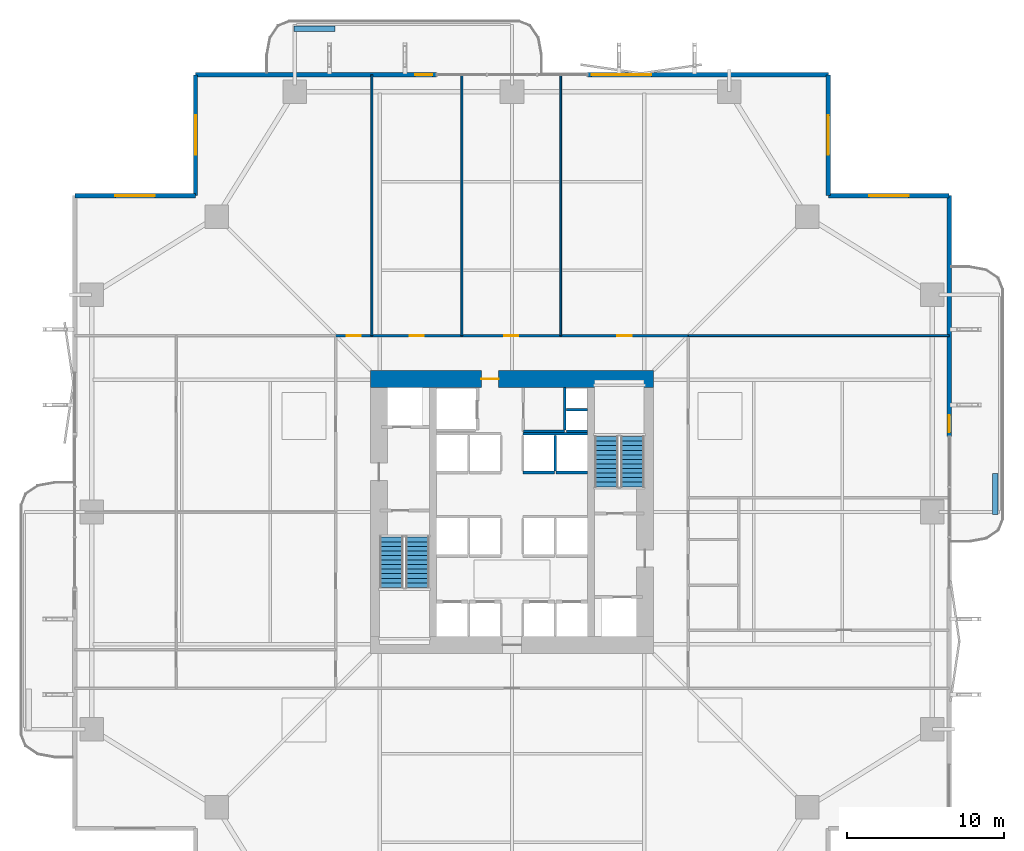
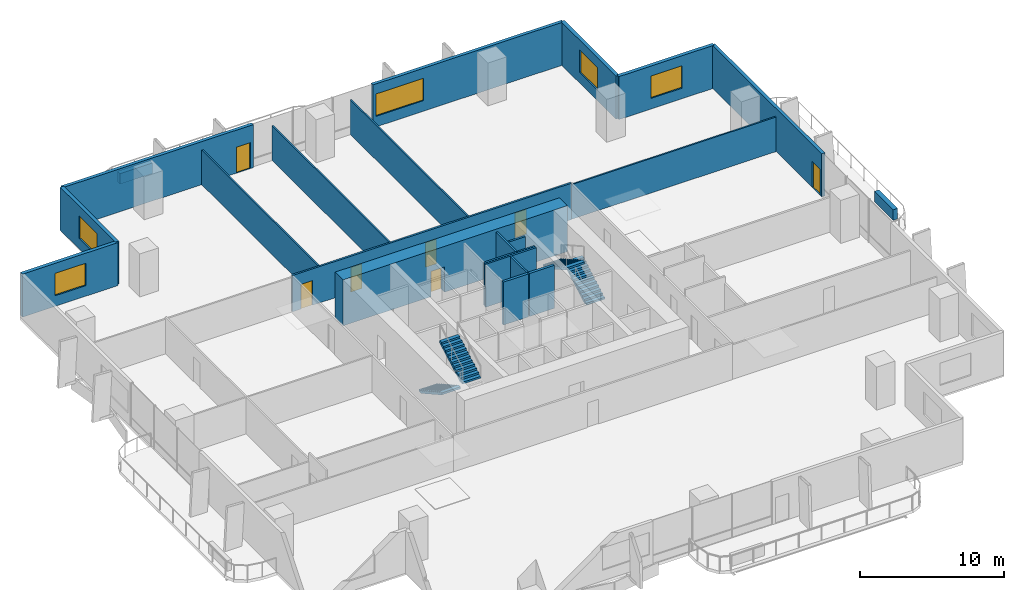
# One storey, part 19 of 24: 23 walls, 7 doors, 5 windows, 4 stair flights, 12 openings, 2 elements without a shape of their own.
"""IFC4 building model written with IfcOpenShell, lengths in metres."""

from ifc_helpers import new_model, si_unit, direction, frame, frame_2d, origin, place, context, subcontext, project, spatial, polyline, rectangle, outline, extrude, material, layer, layer_set, type_object, element, fill, aggregate, save


model = new_model("IFC4")

# Units and contexts
model_context = context("Model", 3, precision=1e-05, world=origin(), true_north=direction((0.0, 1.0)))
body_context = subcontext(model_context, "Body", "Model", "MODEL_VIEW")
ifc_project = project(units=[si_unit("LENGTHUNIT", "METRE"), si_unit("AREAUNIT", "SQUARE_METRE"), si_unit("VOLUMEUNIT", "CUBIC_METRE"), si_unit("PLANEANGLEUNIT", "RADIAN"), si_unit("MASSUNIT", "GRAM", prefix="KILO")], contexts=[model_context])

# Site, building, storey
site_placement = place(None, origin())
site = spatial("IfcSite", under=ifc_project, at=site_placement, CompositionType="ELEMENT")
building_placement = place(site_placement, origin())
building = spatial("IfcBuilding", under=site, at=building_placement, Name="Belovzor Exchange Tower", CompositionType="ELEMENT")
storey_placement = place(building_placement, frame((0.0, 0.0, 72.89990234375)))
storey = spatial("IfcBuildingStorey", under=building, at=storey_placement, Name="L17", CompositionType="ELEMENT", Elevation=72.89990234375)

# Walls
ifc_material_1 = material(Name="Acoustic Plasterboard on Galvanised Studs", Category="gypsum")
ifc_layer_1 = layer(ifc_material_1, 0.1201171875)
ifc_layer_set_1 = layer_set([ifc_layer_1], Name="Acoustic Plasterboard on Galvanised Studs")
wall_type_1 = type_object("IfcWallType", Name="Acoustic Double-Stud Partition Wall 120", PredefinedType="PARTITIONING", material=ifc_layer_set_1)
for number, where, z_axis, x_axis, name in (
    (1, (19.89990234375, 40.0, 0.0), (0.0, 0.0, 1.0), (0.0, 1.0, 0.0), "W-P120 Partition Wall W-L17-NDIV-1"),
    (2, (25.612060546875, 40.0, 0.0), (0.0, 0.0, 1.0), (0.0, 1.0, 0.0), "W-P120 Partition Wall W-L17-NDIV-2"),
    (3, (31.89697265625, 40.0, 0.0), (0.0, 0.0, 1.0), (0.0, 1.0, 0.0), "W-P120 Partition Wall W-L17-NDIV-3"),
    (4, (40.0, 40.0, 0.0), (0.0, 0.0, 1.0), (1.0, 0.0, 0.0), "W-P120 Partition Wall W-L17-END-NE"),
):
    element("IfcWall", number, at=place(storey_placement, frame(where, z_axis=z_axis, x_axis=x_axis)), inside=storey, type_object=wall_type_1, Name=name, PredefinedType="PARTITIONING", context=body_context, shape_type="SweptSolid", body=[
        extrude(rectangle(XDim=16.570068359375, YDim=0.1201171875, at=frame_2d((8.28515625, 0.0))), origin(), (0.0, 0.0, 1.0), 2.93505859375),
    ])
ifc_material_2 = material(Name="Fire-Rated Gypsum Block and Mineral Wool", Category="gypsum")
ifc_layer_2 = layer(ifc_material_2, 0.14990234375)
ifc_layer_set_2 = layer_set([ifc_layer_2], Name="Fire-Rated Gypsum Block and Mineral Wool")
wall_type_2 = type_object("IfcWallType", Name="Fire-Rated Gypsum Block Corridor Wall 150", PredefinedType="PARTITIONING", material=ifc_layer_set_2)
wall_1_placement = place(storey_placement, frame((29.52490234375, 33.925048828125, 0.0), z_axis=(0.0, 0.0, 1.0), x_axis=(1.0, 0.0, 0.0)))
element("IfcWall", 5, at=wall_1_placement, inside=storey, type_object=wall_type_2, Name="W-P150 Partition Wall W-CRV-L17-S", PredefinedType="PARTITIONING", context=body_context, shape_type="SweptSolid", body=[
    extrude(rectangle(XDim=2.625, YDim=0.14990234375, at=frame_2d((1.3125, 0.0))), origin(), (0.0, 0.0, 1.0), 3.650146484375),
])

# Wall, openings, doors
wall_2_placement = place(storey_placement, frame((17.60009765625, 40.0, 0.0), z_axis=(0.0, 0.0, 1.0), x_axis=(1.0, 0.0, 0.0)))
wall_2 = element("IfcWall", 6, at=wall_2_placement, inside=storey, type_object=wall_type_2, Name="W-P150 Partition Wall W-L17-CN", PredefinedType="PARTITIONING", context=body_context, shape_type="SweptSolid", body=[
    extrude(rectangle(XDim=22.39990234375, YDim=0.14990234375, at=frame_2d((11.199951171875, 0.0))), origin(), (0.0, 0.0, 1.0), 3.085205078125),
])
opening_1_placement = place(wall_2_placement, frame((0.699951171875, 0.0, 0.0)))
opening_1 = element("IfcOpeningElement", 7, at=opening_1_placement, cuts=wall_2, Name="Opening D-INT-090", PredefinedType="OPENING", context=body_context, shape_type="SweptSolid", body=[
    extrude(rectangle(XDim=0.89990234375, YDim=2.10009765625, at=frame_2d((0.449951171875, 1.050048828125))), frame((0.0, 0.0849609375, 0.0), z_axis=(0.0, -1.0, 0.0), x_axis=(1.0, 0.0, 0.0)), (0.0, 0.0, 1.0), 0.169921875),
])
opening_2_placement = place(wall_2_placement, frame((4.7060546875, 0.0, 0.0)))
opening_2 = element("IfcOpeningElement", 8, at=opening_2_placement, cuts=wall_2, Name="Opening D-INT-090", PredefinedType="OPENING", context=body_context, shape_type="SweptSolid", body=[
    extrude(rectangle(XDim=0.89990234375, YDim=2.10009765625, at=frame_2d((0.449951171875, 1.050048828125))), frame((0.0, 0.0849609375, 0.0), z_axis=(0.0, -1.0, 0.0), x_axis=(1.0, 0.0, 0.0)), (0.0, 0.0, 1.0), 0.169921875),
])
opening_3_placement = place(wall_2_placement, frame((10.7041015625, 0.0, 0.0)))
opening_3 = element("IfcOpeningElement", 9, at=opening_3_placement, cuts=wall_2, Name="Opening D-INT-090", PredefinedType="OPENING", context=body_context, shape_type="SweptSolid", body=[
    extrude(rectangle(XDim=0.89990234375, YDim=2.10009765625, at=frame_2d((0.449951171875, 1.050048828125))), frame((0.0, 0.0849609375, 0.0), z_axis=(0.0, -1.0, 0.0), x_axis=(1.0, 0.0, 0.0)), (0.0, 0.0, 1.0), 0.169921875),
])
opening_4_placement = place(wall_2_placement, frame((17.89794921875, 0.0, 0.0)))
opening_4 = element("IfcOpeningElement", 10, at=opening_4_placement, cuts=wall_2, Name="Opening D-INT-090", PredefinedType="OPENING", context=body_context, shape_type="SweptSolid", body=[
    extrude(rectangle(XDim=0.89990234375, YDim=2.10009765625, at=frame_2d((0.449951171875, 1.050048828125))), frame((0.0, 0.0849609375, 0.0), z_axis=(0.0, -1.0, 0.0), x_axis=(1.0, 0.0, 0.0)), (0.0, 0.0, 1.0), 0.169921875),
])
ifc_material_3 = material(Name="Veneered Hardwood Acoustic Leaf", Category="wood")
door_type_1 = type_object("IfcDoorType", Name="Trading Suite Acoustic Single Door 900x2100", OperationType="NOTDEFINED", PredefinedType="DOOR", material=ifc_material_3)
door_1_placement = place(opening_1_placement, origin())
door_1 = element("IfcDoor", 11, at=door_1_placement, inside=storey, type_object=door_type_1, Name="D-INT-090 Trading Suite Acoustic Single Door 900x2100", OperationType="SINGLE_SWING_RIGHT", OverallHeight=2.10009765625, OverallWidth=0.89990234375, PredefinedType="DOOR", context=body_context, shape_type="SweptSolid", body=[
    extrude(rectangle(XDim=0.89990234375, YDim=2.10009765625, at=frame_2d((0.449951171875, 1.050048828125))), frame((0.0, 0.02490234375, 0.0), z_axis=(0.0, -1.0, 0.0), x_axis=(1.0, 0.0, 0.0)), (0.0, 0.0, 1.0), 0.050048828125),
])
fill(opening_1, door_1)
door_2_placement = place(opening_2_placement, origin())
door_2 = element("IfcDoor", 12, at=door_2_placement, inside=storey, type_object=door_type_1, Name="D-INT-090 Trading Suite Acoustic Single Door 900x2100", OperationType="SINGLE_SWING_LEFT", OverallHeight=2.10009765625, OverallWidth=0.89990234375, PredefinedType="DOOR", context=body_context, shape_type="SweptSolid", body=[
    extrude(rectangle(XDim=0.89990234375, YDim=2.10009765625, at=frame_2d((0.449951171875, 1.050048828125))), frame((0.0, 0.02490234375, 0.0), z_axis=(0.0, -1.0, 0.0), x_axis=(1.0, 0.0, 0.0)), (0.0, 0.0, 1.0), 0.050048828125),
])
fill(opening_2, door_2)
door_3_placement = place(opening_3_placement, origin())
door_3 = element("IfcDoor", 13, at=door_3_placement, inside=storey, type_object=door_type_1, Name="D-INT-090 Trading Suite Acoustic Single Door 900x2100", OperationType="SINGLE_SWING_RIGHT", OverallHeight=2.10009765625, OverallWidth=0.89990234375, PredefinedType="DOOR", context=body_context, shape_type="SweptSolid", body=[
    extrude(rectangle(XDim=0.89990234375, YDim=2.10009765625, at=frame_2d((0.449951171875, 1.050048828125))), frame((0.0, 0.02490234375, 0.0), z_axis=(0.0, -1.0, 0.0), x_axis=(1.0, 0.0, 0.0)), (0.0, 0.0, 1.0), 0.050048828125),
])
fill(opening_3, door_3)
door_4_placement = place(opening_4_placement, origin())
door_4 = element("IfcDoor", 14, at=door_4_placement, inside=storey, type_object=door_type_1, Name="D-INT-090 Trading Suite Acoustic Single Door 900x2100", OperationType="SINGLE_SWING_LEFT", OverallHeight=2.10009765625, OverallWidth=0.89990234375, PredefinedType="DOOR", context=body_context, shape_type="SweptSolid", body=[
    extrude(rectangle(XDim=0.89990234375, YDim=2.10009765625, at=frame_2d((0.449951171875, 1.050048828125))), frame((0.0, 0.02490234375, 0.0), z_axis=(0.0, -1.0, 0.0), x_axis=(1.0, 0.0, 0.0)), (0.0, 0.0, 1.0), 0.050048828125),
])
fill(opening_4, door_4)

# Wall, opening, window
ifc_material_4 = material(Name="Precast concrete C40/50", Category="concrete")
ifc_layer_3 = layer(ifc_material_4, 0.280029296875)
ifc_layer_set_3 = layer_set([ifc_layer_3], Name="Precast concrete C40/50")
wall_type_3 = type_object("IfcWallType", Name="Precast Concrete Notched Corner Frame Wall 280", PredefinedType="SOLIDWALL", material=ifc_layer_set_3)
wall_3_placement = place(storey_placement, frame((1.030029296875, 48.89990234375, 0.0), z_axis=(0.0, 0.0, 1.0), x_axis=(1.0, 0.0, 0.0)))
wall_3 = element("IfcWall", 15, at=wall_3_placement, inside=storey, type_object=wall_type_3, Name="W-CRN280 Precast Concrete Notched Corner Frame Wall 280 L17", PredefinedType="SOLIDWALL", context=body_context, shape_type="SweptSolid", body=[
    extrude(rectangle(XDim=7.669921875, YDim=0.280029296875, at=frame_2d((3.8349609375, 0.0))), origin(), (0.0, 0.0, 1.0), 3.650146484375),
])
opening_5_placement = place(wall_3_placement, frame((2.5849609375, 0.0, 0.89990234375)))
opening_5 = element("IfcOpeningElement", 16, at=opening_5_placement, cuts=wall_3, Name="Opening WN-CRN250", PredefinedType="OPENING", context=body_context, shape_type="SweptSolid", body=[
    extrude(rectangle(XDim=2.5, YDim=1.89990234375, at=frame_2d((1.25, 0.949951171875))), frame((0.0, 0.14990234375, 0.0), z_axis=(0.0, -1.0, 0.0), x_axis=(1.0, 0.0, 0.0)), (0.0, 0.0, 1.0), 0.300048828125),
])
ifc_material_5 = material(Name="Thermally Broken Aluminium and Triple Glazing", Category="aluminium")
window_type_1 = type_object("IfcWindowType", Name="Streamline Moderne Corner Wrap Ribbon Window 2500x1900", PartitioningType="SINGLE_PANEL", PredefinedType="WINDOW", material=ifc_material_5)
window_1_placement = place(opening_5_placement, origin())
window_1 = element("IfcWindow", 17, at=window_1_placement, inside=storey, type_object=window_type_1, Name="WN-CRN250 Streamline Moderne Corner Wrap Ribbon Window 2500x1900", OverallHeight=1.89990234375, OverallWidth=2.5, PartitioningType="SINGLE_PANEL", PredefinedType="WINDOW", context=body_context, shape_type="SweptSolid", body=[
    extrude(rectangle(XDim=2.5, YDim=1.89990234375, at=frame_2d((1.25, 0.949951171875))), frame((0.0, 0.030029296875, 0.0), z_axis=(0.0, -1.0, 0.0), x_axis=(1.0, 0.0, 0.0)), (0.0, 0.0, 1.0), 0.06005859375),
])
fill(opening_5, window_1)

wall_4_placement = place(storey_placement, frame((8.699951171875, 48.89990234375, 0.0), z_axis=(0.0, 0.0, 1.0), x_axis=(0.0, 1.0, 0.0)))
wall_4 = element("IfcWall", 18, at=wall_4_placement, inside=storey, type_object=wall_type_3, Name="W-CRN280 Precast Concrete Notched Corner Frame Wall 280 L17", PredefinedType="SOLIDWALL", context=body_context, shape_type="SweptSolid", body=[
    extrude(rectangle(XDim=7.670166015625, YDim=0.280029296875, at=frame_2d((3.8349609375, 0.0))), origin(), (0.0, 0.0, 1.0), 3.650146484375),
])
opening_6_placement = place(wall_4_placement, frame((2.5849609375, 0.0, 0.89990234375)))
opening_6 = element("IfcOpeningElement", 19, at=opening_6_placement, cuts=wall_4, Name="Opening WN-CRN250", PredefinedType="OPENING", context=body_context, shape_type="SweptSolid", body=[
    extrude(rectangle(XDim=2.5, YDim=1.89990234375, at=frame_2d((1.25, 0.949951171875))), frame((0.0, 0.14990234375, 0.0), z_axis=(0.0, -1.0, 0.0), x_axis=(1.0, 0.0, 0.0)), (0.0, 0.0, 1.0), 0.300048828125),
])
window_2_placement = place(opening_6_placement, origin())
window_2 = element("IfcWindow", 20, at=window_2_placement, inside=storey, type_object=window_type_1, Name="WN-CRN250 Streamline Moderne Corner Wrap Ribbon Window 2500x1900", OverallHeight=1.89990234375, OverallWidth=2.5, PartitioningType="SINGLE_PANEL", PredefinedType="WINDOW", context=body_context, shape_type="SweptSolid", body=[
    extrude(rectangle(XDim=2.5, YDim=1.89990234375, at=frame_2d((1.25, 0.949951171875))), frame((0.0, 0.030029296875, 0.0), z_axis=(0.0, -1.0, 0.0), x_axis=(1.0, 0.0, 0.0)), (0.0, 0.0, 1.0), 0.06005859375),
])
fill(opening_6, window_2)

wall_5_placement = place(storey_placement, frame((48.89990234375, 56.570068359375, 0.0), z_axis=(0.0, 0.0, 1.0), x_axis=(0.0, -1.0, 0.0)))
wall_5 = element("IfcWall", 21, at=wall_5_placement, inside=storey, type_object=wall_type_3, Name="W-CRN280 Precast Concrete Notched Corner Frame Wall 280 L17", PredefinedType="SOLIDWALL", context=body_context, shape_type="SweptSolid", body=[
    extrude(rectangle(XDim=7.670166015625, YDim=0.280029296875, at=frame_2d((3.8349609375, 0.0))), origin(), (0.0, 0.0, 1.0), 3.650146484375),
])
opening_7_placement = place(wall_5_placement, frame((2.5849609375, 0.0, 0.89990234375)))
opening_7 = element("IfcOpeningElement", 22, at=opening_7_placement, cuts=wall_5, Name="Opening WN-CRN250", PredefinedType="OPENING", context=body_context, shape_type="SweptSolid", body=[
    extrude(rectangle(XDim=2.5, YDim=1.89990234375, at=frame_2d((1.25, 0.949951171875))), frame((0.0, 0.14990234375, 0.0), z_axis=(0.0, -1.0, 0.0), x_axis=(1.0, 0.0, 0.0)), (0.0, 0.0, 1.0), 0.300048828125),
])
window_3_placement = place(opening_7_placement, origin())
window_3 = element("IfcWindow", 23, at=window_3_placement, inside=storey, type_object=window_type_1, Name="WN-CRN250 Streamline Moderne Corner Wrap Ribbon Window 2500x1900", OverallHeight=1.89990234375, OverallWidth=2.5, PartitioningType="SINGLE_PANEL", PredefinedType="WINDOW", context=body_context, shape_type="SweptSolid", body=[
    extrude(rectangle(XDim=2.5, YDim=1.89990234375, at=frame_2d((1.25, 0.949951171875))), frame((0.0, 0.030029296875, 0.0), z_axis=(0.0, -1.0, 0.0), x_axis=(1.0, 0.0, 0.0)), (0.0, 0.0, 1.0), 0.06005859375),
])
fill(opening_7, window_3)

wall_6_placement = place(storey_placement, frame((48.89990234375, 48.89990234375, 0.0), z_axis=(0.0, 0.0, 1.0), x_axis=(1.0, 0.0, 0.0)))
wall_6 = element("IfcWall", 24, at=wall_6_placement, inside=storey, type_object=wall_type_3, Name="W-CRN280 Precast Concrete Notched Corner Frame Wall 280 L17", PredefinedType="SOLIDWALL", context=body_context, shape_type="SweptSolid", body=[
    extrude(rectangle(XDim=7.670166015625, YDim=0.280029296875, at=frame_2d((3.8349609375, 0.0))), origin(), (0.0, 0.0, 1.0), 3.650146484375),
])
opening_8_placement = place(wall_6_placement, frame((2.5849609375, 0.0, 0.89990234375)))
opening_8 = element("IfcOpeningElement", 25, at=opening_8_placement, cuts=wall_6, Name="Opening WN-CRN250", PredefinedType="OPENING", context=body_context, shape_type="SweptSolid", body=[
    extrude(rectangle(XDim=2.5, YDim=1.89990234375, at=frame_2d((1.25, 0.949951171875))), frame((0.0, 0.14990234375, 0.0), z_axis=(0.0, -1.0, 0.0), x_axis=(1.0, 0.0, 0.0)), (0.0, 0.0, 1.0), 0.300048828125),
])
window_4_placement = place(opening_8_placement, origin())
window_4 = element("IfcWindow", 26, at=window_4_placement, inside=storey, type_object=window_type_1, Name="WN-CRN250 Streamline Moderne Corner Wrap Ribbon Window 2500x1900", OverallHeight=1.89990234375, OverallWidth=2.5, PartitioningType="SINGLE_PANEL", PredefinedType="WINDOW", context=body_context, shape_type="SweptSolid", body=[
    extrude(rectangle(XDim=2.5, YDim=1.89990234375, at=frame_2d((1.25, 0.949951171875))), frame((0.0, 0.030029296875, 0.0), z_axis=(0.0, -1.0, 0.0), x_axis=(1.0, 0.0, 0.0)), (0.0, 0.0, 1.0), 0.06005859375),
])
fill(opening_8, window_4)

# Wall, opening, door
ifc_material_6 = material(Name="Precast concrete C40/50", Category="concrete")
ifc_layer_4 = layer(ifc_material_6, 0.260009765625)
ifc_layer_set_4 = layer_set([ifc_layer_4], Name="Precast concrete C40/50")
wall_type_4 = type_object("IfcWallType", Name="Precast Concrete Perimeter Loggia Frame Wall 260", PredefinedType="SOLIDWALL", material=ifc_layer_set_4)
wall_7_placement = place(storey_placement, frame((8.699951171875, 56.570068359375, 0.0), z_axis=(0.0, 0.0, 1.0), x_axis=(1.0, 0.0, 0.0)))
wall_7 = element("IfcWall", 27, at=wall_7_placement, inside=storey, type_object=wall_type_4, Name="W-EXT260 Precast Concrete Perimeter Loggia Frame Wall 260 L17", PredefinedType="SOLIDWALL", context=body_context, shape_type="SweptSolid", body=[
    extrude(rectangle(XDim=15.300048828125, YDim=0.260009765625, at=frame_2d((7.64990234375, 0.0))), origin(), (0.0, 0.0, 1.0), 3.650146484375),
])
opening_9_placement = place(wall_7_placement, frame((13.949951171875, 0.0, 0.0)))
opening_9 = element("IfcOpeningElement", 28, at=opening_9_placement, cuts=wall_7, Name="Opening D-BAL110", PredefinedType="OPENING", context=body_context, shape_type="SweptSolid", body=[
    extrude(rectangle(XDim=1.10009765625, YDim=2.199951171875, at=frame_2d((0.550048828125, 1.10009765625))), frame((0.0, 0.139892578125, 0.0), z_axis=(0.0, -1.0, 0.0), x_axis=(1.0, 0.0, 0.0)), (0.0, 0.0, 1.0), 0.280029296875),
])
ifc_material_7 = material(Name="Thermally Broken Anodised Aluminium and Laminated Glass", Category="aluminium")
door_type_2 = type_object("IfcDoorType", Name="Planted Loggia Terrace Glazed Door 1100x2200", OperationType="SINGLE_SWING_LEFT", PredefinedType="DOOR", material=ifc_material_7)
door_5_placement = place(opening_9_placement, origin())
door_5 = element("IfcDoor", 29, at=door_5_placement, inside=storey, type_object=door_type_2, Name="D-BAL110 Balcony Terrace Door L17 N", OperationType="SINGLE_SWING_RIGHT", OverallHeight=2.199951171875, OverallWidth=1.10009765625, PredefinedType="DOOR", context=body_context, shape_type="SweptSolid", body=[
    extrude(rectangle(XDim=1.10009765625, YDim=2.199951171875, at=frame_2d((0.550048828125, 1.10009765625))), frame((0.0, 0.02490234375, 0.0), z_axis=(0.0, -1.0, 0.0), x_axis=(1.0, 0.0, 0.0)), (0.0, 0.0, 1.0), 0.050048828125),
])
fill(opening_9, door_5)

# Wall, opening, window
wall_8_placement = place(storey_placement, frame((33.60009765625, 56.570068359375, 0.0), z_axis=(0.0, 0.0, 1.0), x_axis=(1.0, 0.0, 0.0)))
wall_8 = element("IfcWall", 30, at=wall_8_placement, inside=storey, type_object=wall_type_4, Name="W-EXT260 Precast Concrete Perimeter Loggia Frame Wall 260 L17", PredefinedType="SOLIDWALL", context=body_context, shape_type="SweptSolid", body=[
    extrude(rectangle(XDim=15.2998046875, YDim=0.260009765625, at=frame_2d((7.64990234375, 0.0))), origin(), (0.0, 0.0, 1.0), 3.650146484375),
])
opening_10_placement = place(wall_8_placement, frame((0.25, 0.0, 0.89990234375)))
opening_10 = element("IfcOpeningElement", 31, at=opening_10_placement, cuts=wall_8, Name="Opening WN-RIB380", PredefinedType="OPENING", context=body_context, shape_type="SweptSolid", body=[
    extrude(rectangle(XDim=3.800048828125, YDim=1.89990234375, at=frame_2d((1.89990234375, 0.949951171875))), frame((0.0, 0.139892578125, 0.0), z_axis=(0.0, -1.0, 0.0), x_axis=(1.0, 0.0, 0.0)), (0.0, 0.0, 1.0), 0.280029296875),
])
ifc_material_8 = material(Name="Thermally Broken Aluminium and Triple Glazing", Category="aluminium")
window_type_2 = type_object("IfcWindowType", Name="Streamline Moderne Horizontal Ribbon Window 3800x1900", PartitioningType="SINGLE_PANEL", PredefinedType="WINDOW", material=ifc_material_8)
window_5_placement = place(opening_10_placement, origin())
window_5 = element("IfcWindow", 32, at=window_5_placement, inside=storey, type_object=window_type_2, Name="WN-RIB380 Streamline Moderne Horizontal Ribbon Window 3800x1900", OverallHeight=1.89990234375, OverallWidth=3.800048828125, PartitioningType="SINGLE_PANEL", PredefinedType="WINDOW", context=body_context, shape_type="SweptSolid", body=[
    extrude(rectangle(XDim=3.800048828125, YDim=1.89990234375, at=frame_2d((1.89990234375, 0.949951171875))), frame((0.0, 0.030029296875, 0.0), z_axis=(0.0, -1.0, 0.0), x_axis=(1.0, 0.0, 0.0)), (0.0, 0.0, 1.0), 0.06005859375),
])
fill(opening_10, window_5)

# Wall, opening, door
wall_9_placement = place(storey_placement, frame((56.570068359375, 48.89990234375, 0.0), z_axis=(0.0, 0.0, 1.0), x_axis=(0.0, -1.0, 0.0)))
wall_9 = element("IfcWall", 33, at=wall_9_placement, inside=storey, type_object=wall_type_4, Name="W-EXT260 Precast Concrete Perimeter Loggia Frame Wall 260 L17", PredefinedType="SOLIDWALL", context=body_context, shape_type="SweptSolid", body=[
    extrude(rectangle(XDim=15.2998046875, YDim=0.260009765625, at=frame_2d((7.64990234375, 0.0))), origin(), (0.0, 0.0, 1.0), 3.650146484375),
])
opening_11_placement = place(wall_9_placement, frame((13.949951171875, 0.0, 0.0)))
opening_11 = element("IfcOpeningElement", 34, at=opening_11_placement, cuts=wall_9, Name="Opening D-BAL110", PredefinedType="OPENING", context=body_context, shape_type="SweptSolid", body=[
    extrude(rectangle(XDim=1.10009765625, YDim=2.199951171875, at=frame_2d((0.550048828125, 1.10009765625))), frame((0.0, 0.139892578125, 0.0), z_axis=(0.0, -1.0, 0.0), x_axis=(1.0, 0.0, 0.0)), (0.0, 0.0, 1.0), 0.280029296875),
])
door_6_placement = place(opening_11_placement, origin())
door_6 = element("IfcDoor", 35, at=door_6_placement, inside=storey, type_object=door_type_2, Name="D-BAL110 Balcony Terrace Door L17 E", OperationType="SINGLE_SWING_LEFT", OverallHeight=2.199951171875, OverallWidth=1.10009765625, PredefinedType="DOOR", context=body_context, shape_type="SweptSolid", body=[
    extrude(rectangle(XDim=1.10009765625, YDim=2.199951171875, at=frame_2d((0.550048828125, 1.10009765625))), frame((0.0, 0.02490234375, 0.0), z_axis=(0.0, -1.0, 0.0), x_axis=(1.0, 0.0, 0.0)), (0.0, 0.0, 1.0), 0.050048828125),
])
fill(opening_11, door_6)

# Walls
ifc_material_9 = material(Name="Precast concrete C40/50", Category="concrete")
ifc_layer_5 = layer(ifc_material_9, 0.35009765625)
ifc_layer_set_5 = layer_set([ifc_layer_5], Name="Precast concrete C40/50")
wall_type_5 = type_object("IfcWallType", Name="Precast Concrete Structural Tree Planter Trough 350", PredefinedType="PARAPET", material=ifc_layer_set_5)
for number, where, z_axis, x_axis, name in (
    (36, (14.949951171875, 59.5, 0.0), (0.0, 0.0, 1.0), (1.0, 0.0, 0.0), "PT-350 Precast Concrete Structural Tree Planter Trough 350 L17"),
    (37, (59.5, 28.64990234375, 0.0), (0.0, 0.0, 1.0), (0.0, 1.0, 0.0), "PT-350 Precast Concrete Structural Tree Planter Trough 350 L17"),
):
    element("IfcWall", number, at=place(storey_placement, frame(where, z_axis=z_axis, x_axis=x_axis)), inside=storey, type_object=wall_type_5, Name=name, PredefinedType="PARAPET", context=body_context, shape_type="SweptSolid", body=[
        extrude(rectangle(XDim=2.60009765625, YDim=0.35009765625, at=frame_2d((1.300048828125, 0.0))), origin(), (0.0, 0.0, 1.0), 0.900146484375),
    ])
ifc_material_10 = material(Name="Concrete C50/60", Category="concrete")
ifc_layer_6 = layer(ifc_material_10, 0.14990234375)
ifc_layer_set_6 = layer_set([ifc_layer_6], Name="Concrete C50/60")
wall_type_6 = type_object("IfcWallType", Name="Reinforced Concrete Core Riser Shear Wall 150", PredefinedType="SHEAR", material=ifc_layer_set_6)
wall_10_placement = place(storey_placement, frame((32.14990234375, 34.0, 0.0), z_axis=(0.0, 0.0, 1.0), x_axis=(0.0, 1.0, 0.0)))
element("IfcWall", 38, at=wall_10_placement, inside=storey, type_object=wall_type_6, Name="W-C150S Core Shaft Wall W-RSR-L17-E", PredefinedType="SHEAR", context=body_context, shape_type="SweptSolid", body=[
    extrude(rectangle(XDim=2.699951171875, YDim=0.14990234375, at=frame_2d((1.35009765625, 0.0))), origin(), (0.0, 0.0, 1.0), 3.650146484375),
])
for number, where, z_axis, x_axis, name in (
    (39, (32.25, 33.925048828125, 0.0), (0.0, 0.0, 1.0), (1.0, 0.0, 0.0), "W-C150S Core Shaft Wall W-RSR-L17-S"),
    (40, (32.25, 35.300048828125, 0.0), (0.0, 0.0, 1.0), (1.0, 0.0, 0.0), "W-C150S Core Shaft Wall W-RSR-L17-M"),
):
    element("IfcWall", number, at=place(storey_placement, frame(where, z_axis=z_axis, x_axis=x_axis)), inside=storey, type_object=wall_type_6, Name=name, PredefinedType="SHEAR", context=body_context, shape_type="SweptSolid", body=[
        extrude(rectangle(XDim=1.330078125, YDim=0.14990234375, at=frame_2d((0.6650390625, 0.0))), origin(), (0.0, 0.0, 1.0), 3.650146484375),
    ])
wall_11_placement = place(storey_placement, frame((29.5, 33.760009765625, 0.0), z_axis=(0.0, 0.0, 1.0), x_axis=(1.0, 0.0, 0.0)))
element("IfcWall", 41, at=wall_11_placement, inside=storey, type_object=wall_type_6, Name="W-C150S Core Shaft Wall W-SHB-L17-PLH-NE", PredefinedType="SHEAR", context=body_context, shape_type="SweptSolid", body=[
    extrude(rectangle(XDim=4.080078125, YDim=0.14990234375, at=frame_2d((2.0400390625, 0.0))), origin(), (0.0, 0.0, 1.0), 3.650146484375),
])
wall_12_placement = place(storey_placement, frame((31.550048828125, 31.419921875, 0.0), z_axis=(0.0, 0.0, 1.0), x_axis=(0.0, 1.0, 0.0)))
element("IfcWall", 42, at=wall_12_placement, inside=storey, type_object=wall_type_6, Name="W-C150S Core Shaft Wall W-SHD-L17-PLH-4", PredefinedType="SHEAR", context=body_context, shape_type="SweptSolid", body=[
    extrude(rectangle(XDim=2.239990234375, YDim=0.14990234375, at=frame_2d((1.1201171875, 0.0))), origin(), (0.0, 0.0, 1.0), 3.650146484375),
])
ifc_material_11 = material(Name="Concrete C50/60", Category="concrete")
ifc_layer_7 = layer(ifc_material_11, 0.199951171875)
ifc_layer_set_7 = layer_set([ifc_layer_7], Name="Concrete C50/60")
wall_type_7 = type_object("IfcWallType", Name="Reinforced Concrete Core Shaft Shear Wall 200", PredefinedType="SHEAR", material=ifc_layer_set_7)
for number, where, z_axis, x_axis, name in (
    (43, (29.5, 31.300048828125, 0.0), (0.0, 0.0, 1.0), (1.0, 0.0, 0.0), "W-C200S Core Shaft Wall W-SH-L17-PL-H3"),
    (44, (31.60009765625, 31.300048828125, 0.0), (0.0, 0.0, 1.0), (1.0, 0.0, 0.0), "W-C200S Core Shaft Wall W-SH-L17-PL-H4"),
):
    element("IfcWall", number, at=place(storey_placement, frame(where, z_axis=z_axis, x_axis=x_axis)), inside=storey, type_object=wall_type_7, Name=name, PredefinedType="SHEAR", context=body_context, shape_type="SweptSolid", body=[
        extrude(rectangle(XDim=2.0, YDim=0.199951171875, at=frame_2d((1.0, 0.0))), origin(), (0.0, 0.0, 1.0), 3.650146484375),
    ])

# Wall, opening, door
ifc_material_12 = material(Name="Concrete C60/75", Category="concrete")
ifc_layer_8 = layer(ifc_material_12, 1.10009765625)
ifc_layer_set_8 = layer_set([ifc_layer_8], Name="Concrete C60/75")
wall_type_8 = type_object("IfcWallType", Name="Reinforced Concrete Core Shear Wall 1100", PredefinedType="SHEAR", material=ifc_layer_set_8)
wall_13_placement = place(storey_placement, frame((19.800048828125, 37.25, 0.0), z_axis=(0.0, 0.0, 1.0), x_axis=(1.0, 0.0, 0.0)))
wall_13 = element("IfcWall", 45, at=wall_13_placement, inside=storey, type_object=wall_type_8, Name="CW-S110 Core Shear Wall L17 N", PredefinedType="SHEAR", context=body_context, shape_type="SweptSolid", body=[
    extrude(rectangle(XDim=18.0, YDim=1.10009765625, at=frame_2d((9.0, 0.0))), origin(), (0.0, 0.0, 1.0), 3.900146484375),
])
opening_12_placement = place(wall_13_placement, frame((7.050048828125, 0.0, 0.0)))
opening_12 = element("IfcOpeningElement", 46, at=opening_12_placement, cuts=wall_13, Name="Opening D-FD90-110", PredefinedType="OPENING", context=body_context, shape_type="SweptSolid", body=[
    extrude(rectangle(XDim=1.10009765625, YDim=2.14990234375, at=frame_2d((0.550048828125, 1.074951171875))), frame((0.0, 0.56005859375, 0.0), z_axis=(0.0, -1.0, 0.0), x_axis=(1.0, 0.0, 0.0)), (0.0, 0.0, 1.0), 1.1201171875),
])
ifc_material_13 = material(Name="Fire-Rated Galvanised Steel Leaf", Category="steel")
door_type_3 = type_object("IfcDoorType", Name="Protected Escape Vestibule Fire Door 1100x2150", OperationType="NOTDEFINED", PredefinedType="DOOR", material=ifc_material_13)
door_7_placement = place(opening_12_placement, origin())
door_7 = element("IfcDoor", 47, at=door_7_placement, inside=storey, type_object=door_type_3, Name="D-FD90-110 Protected Escape Vestibule Fire Door 1100x2150", OperationType="SINGLE_SWING_RIGHT", OverallHeight=2.14990234375, OverallWidth=1.10009765625, PredefinedType="DOOR", context=body_context, shape_type="SweptSolid", body=[
    extrude(rectangle(XDim=1.10009765625, YDim=2.14990234375, at=frame_2d((0.550048828125, 1.074951171875))), frame((0.0, 0.02490234375, 0.0), z_axis=(0.0, -1.0, 0.0), x_axis=(1.0, 0.0, 0.0)), (0.0, 0.0, 1.0), 0.050048828125),
])
fill(opening_12, door_7)

# Stair, stair flights
ifc_material_14 = material(Name="Concrete C40/50", Category="concrete")
stair_type = type_object("IfcStairType", Name="Reinforced Concrete Dogleg Escape Stair 1350", PredefinedType="HALF_TURN_STAIR", material=ifc_material_14)
stair_1_placement = place(storey_placement, origin())
stair_1 = element("IfcStair", 48, at=stair_1_placement, inside=storey, type_object=stair_type, Name="L17 ST-1", PredefinedType="HALF_TURN_STAIR")
ifc_material_15 = material(Name="Concrete C40/50", Category="concrete")
stair_flight_type = type_object("IfcStairFlightType", Name="Reinforced Concrete Stair Flight 1350", PredefinedType="STRAIGHT", material=ifc_material_15)
stair_flight_1_placement = place(storey_placement, frame((21.14990234375, 27.199951171875, 0.0), z_axis=(0.0, 0.0, 1.0), x_axis=(0.0, -1.0, 0.0)))
stair_flight_1 = element("IfcStairFlight", 49, at=stair_flight_1_placement, type_object=stair_flight_type, Name="ST-1 flight 1", NumberOfRisers=12, NumberOfTreads=11, PredefinedType="STRAIGHT", RiserHeight=0.1625, TreadLength=0.29, context=body_context, shape_type="SweptSolid", body=[
    extrude(outline(polyline([(0.0, 0.0), (0.0, 0.16259765625), (0.2900390625, 0.16259765625), (0.2900390625, 0.324951171875), (0.580078125, 0.324951171875), (0.580078125, 0.487548828125), (0.8701171875, 0.487548828125), (0.8701171875, 0.64990234375), (1.159912109375, 0.64990234375), (1.159912109375, 0.8125), (1.449951171875, 0.8125), (1.449951171875, 0.97509765625), (1.739990234375, 0.97509765625), (1.739990234375, 1.137451171875), (2.030029296875, 1.137451171875), (2.030029296875, 1.300048828125), (2.320068359375, 1.300048828125), (2.320068359375, 1.46240234375), (2.610107421875, 1.46240234375), (2.610107421875, 1.625), (2.89990234375, 1.625), (2.89990234375, 1.78759765625), (3.18994140625, 1.78759765625), (3.18994140625, 1.949951171875), (3.18994140625, 1.61572265625), (0.306640625, 0.0), (0.0, 0.0)])), frame((0.0, 0.75, 0.0), z_axis=(0.0, -1.0, 0.0), x_axis=(1.0, 0.0, 0.0)), (0.0, 0.0, 1.0), 1.5),
])
stair_flight_2_placement = place(storey_placement, frame((22.800048828125, 24.010009765625, 1.9501953125), z_axis=(0.0, 0.0, 1.0), x_axis=(0.0, 1.0, 0.0)))
stair_flight_2 = element("IfcStairFlight", 50, at=stair_flight_2_placement, type_object=stair_flight_type, Name="ST-1 flight 2", NumberOfRisers=12, NumberOfTreads=11, PredefinedType="STRAIGHT", RiserHeight=0.1625, TreadLength=0.29, context=body_context, shape_type="SweptSolid", body=[
    extrude(outline(polyline([(0.0, 0.0), (0.0, 0.16259765625), (0.2900390625, 0.16259765625), (0.2900390625, 0.324951171875), (0.580078125, 0.324951171875), (0.580078125, 0.487548828125), (0.8701171875, 0.487548828125), (0.8701171875, 0.64990234375), (1.159912109375, 0.64990234375), (1.159912109375, 0.8125), (1.449951171875, 0.8125), (1.449951171875, 0.97509765625), (1.739990234375, 0.97509765625), (1.739990234375, 1.137451171875), (2.030029296875, 1.137451171875), (2.030029296875, 1.300048828125), (2.320068359375, 1.300048828125), (2.320068359375, 1.46240234375), (2.610107421875, 1.46240234375), (2.610107421875, 1.625), (2.89990234375, 1.625), (2.89990234375, 1.78759765625), (3.18994140625, 1.78759765625), (3.18994140625, 1.949951171875), (3.18994140625, 1.61572265625), (0.306640625, 0.0), (0.0, 0.0)])), frame((0.0, 0.75, 0.0), z_axis=(0.0, -1.0, 0.0), x_axis=(1.0, 0.0, 0.0)), (0.0, 0.0, 1.0), 1.5),
])
aggregate(stair_1, [stair_flight_1, stair_flight_2])

stair_2_placement = place(storey_placement, origin())
stair_2 = element("IfcStair", 51, at=stair_2_placement, inside=storey, type_object=stair_type, Name="L17 ST-2", PredefinedType="HALF_TURN_STAIR")
stair_flight_3_placement = place(storey_placement, frame((36.449951171875, 30.39990234375, 0.0), z_axis=(0.0, 0.0, 1.0), x_axis=(0.0, 1.0, 0.0)))
stair_flight_3 = element("IfcStairFlight", 52, at=stair_flight_3_placement, type_object=stair_flight_type, Name="ST-2 flight 1", NumberOfRisers=12, NumberOfTreads=11, PredefinedType="STRAIGHT", RiserHeight=0.1625, TreadLength=0.29, context=body_context, shape_type="SweptSolid", body=[
    extrude(outline(polyline([(0.0, 0.0), (0.0, 0.16259765625), (0.2900390625, 0.16259765625), (0.2900390625, 0.324951171875), (0.580078125, 0.324951171875), (0.580078125, 0.487548828125), (0.8701171875, 0.487548828125), (0.8701171875, 0.64990234375), (1.159912109375, 0.64990234375), (1.159912109375, 0.8125), (1.449951171875, 0.8125), (1.449951171875, 0.97509765625), (1.739990234375, 0.97509765625), (1.739990234375, 1.137451171875), (2.030029296875, 1.137451171875), (2.030029296875, 1.300048828125), (2.320068359375, 1.300048828125), (2.320068359375, 1.46240234375), (2.610107421875, 1.46240234375), (2.610107421875, 1.625), (2.89990234375, 1.625), (2.89990234375, 1.78759765625), (3.18994140625, 1.78759765625), (3.18994140625, 1.949951171875), (3.18994140625, 1.61572265625), (0.306640625, 0.0), (0.0, 0.0)])), frame((0.0, 0.75, 0.0), z_axis=(0.0, -1.0, 0.0), x_axis=(1.0, 0.0, 0.0)), (0.0, 0.0, 1.0), 1.5),
])
stair_flight_4_placement = place(storey_placement, frame((34.800048828125, 33.590087890625, 1.9501953125), z_axis=(0.0, 0.0, 1.0), x_axis=(0.0, -1.0, 0.0)))
stair_flight_4 = element("IfcStairFlight", 53, at=stair_flight_4_placement, type_object=stair_flight_type, Name="ST-2 flight 2", NumberOfRisers=12, NumberOfTreads=11, PredefinedType="STRAIGHT", RiserHeight=0.1625, TreadLength=0.29, context=body_context, shape_type="SweptSolid", body=[
    extrude(outline(polyline([(0.0, 0.0), (0.0, 0.16259765625), (0.2900390625, 0.16259765625), (0.2900390625, 0.324951171875), (0.580078125, 0.324951171875), (0.580078125, 0.487548828125), (0.8701171875, 0.487548828125), (0.8701171875, 0.64990234375), (1.159912109375, 0.64990234375), (1.159912109375, 0.8125), (1.449951171875, 0.8125), (1.449951171875, 0.97509765625), (1.739990234375, 0.97509765625), (1.739990234375, 1.137451171875), (2.030029296875, 1.137451171875), (2.030029296875, 1.300048828125), (2.320068359375, 1.300048828125), (2.320068359375, 1.46240234375), (2.610107421875, 1.46240234375), (2.610107421875, 1.625), (2.89990234375, 1.625), (2.89990234375, 1.78759765625), (3.18994140625, 1.78759765625), (3.18994140625, 1.949951171875), (3.18994140625, 1.61572265625), (0.306640625, 0.0), (0.0, 0.0)])), frame((0.0, 0.75, 0.0), z_axis=(0.0, -1.0, 0.0), x_axis=(1.0, 0.0, 0.0)), (0.0, 0.0, 1.0), 1.5),
])
aggregate(stair_2, [stair_flight_3, stair_flight_4])

save(model, "model.ifc")
